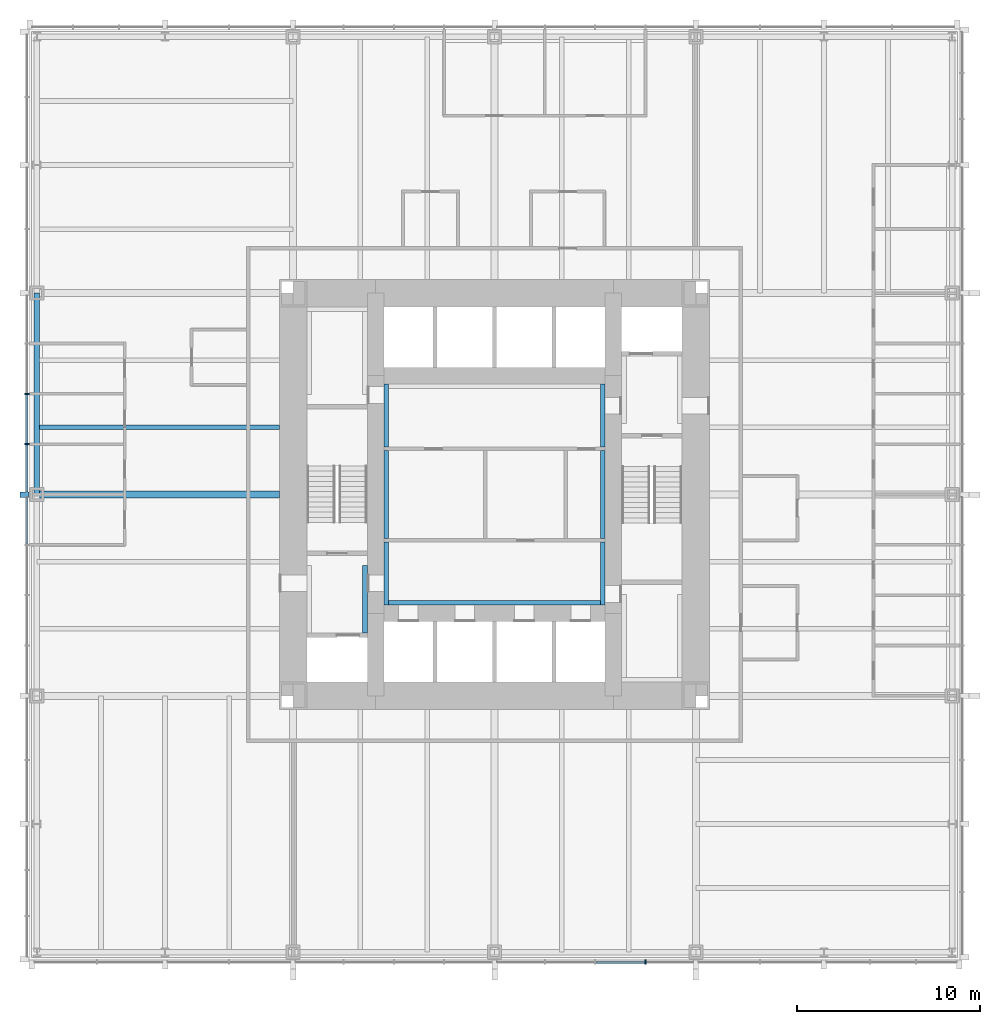
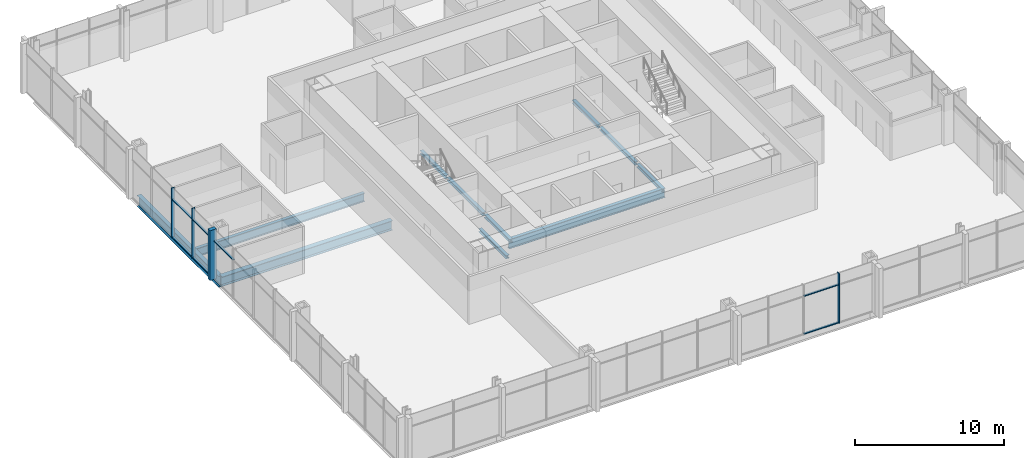
# One storey, part 3 of 12: 11 beams, 11 members, 2 elements without a shape of their own.
"""IFC4 building model written with IfcOpenShell, lengths in metres."""

from ifc_helpers import new_model, si_unit, direction, frame, origin, origin_2d, place, context, subcontext, project, spatial, rectangle, i_section, extrude, material, material_profile, profile_set, type_object, element, aggregate, save


model = new_model("IFC4")

# Units and contexts
model_context = context("Model", 3, precision=1e-05, world=origin(), true_north=direction((0.0, 1.0)))
body_context = subcontext(model_context, "Body", "Model", "MODEL_VIEW")
ifc_project = project(units=[si_unit("LENGTHUNIT", "METRE"), si_unit("AREAUNIT", "SQUARE_METRE"), si_unit("VOLUMEUNIT", "CUBIC_METRE"), si_unit("PLANEANGLEUNIT", "RADIAN"), si_unit("MASSUNIT", "GRAM", prefix="KILO")], contexts=[model_context])

# Site, building, storey
site_placement = place(None, origin())
site = spatial("IfcSite", under=ifc_project, at=site_placement, CompositionType="ELEMENT")
building_placement = place(site_placement, origin())
building = spatial("IfcBuilding", under=site, at=building_placement, Name="Trevanion Tower", CompositionType="ELEMENT")
storey_placement = place(building_placement, frame((0.0, 0.0, 48.800048828125)))
storey = spatial("IfcBuildingStorey", under=building, at=storey_placement, Name="L11", CompositionType="ELEMENT", Elevation=48.800048828125)

# Beam
ifc_material_1 = material(Name="Steel ASTM A992 Grade 50", Category="steel")
ifc_material_profile_1 = material_profile(ifc_material_1, i_section(OverallWidth=0.25390625, OverallDepth=0.700927734375, WebThickness=0.015380859375, FlangeThickness=0.02783203125, at=origin_2d()), Name="W27X129")
ifc_profile_set_1 = profile_set([ifc_material_profile_1], Name="Steel ASTM A992 Grade 50")
beam_type_1 = type_object("IfcBeamType", Name="B3 W27X129", PredefinedType="BEAM", material=ifc_profile_set_1)
beam_1_placement = place(storey_placement, frame((-11.75, 3.666748046875, -0.54052734375), z_axis=(-1.0, 0.0, 0.0), x_axis=(0.0, -1.0, 0.0)))
element("IfcBeam", 1, at=beam_1_placement, inside=storey, type_object=beam_type_1, Name="B3 L11", PredefinedType="BEAM", context=body_context, shape_type="SweptSolid", body=[
    extrude(i_section(OverallWidth=0.25390625, OverallDepth=0.700927734375, WebThickness=0.015380859375, FlangeThickness=0.02783203125, at=origin_2d()), origin(), (0.0, 0.0, 1.0), 13.25),
])

# Curtain wall, members
ifc_material_2 = material(Name="Aluminium and glass", Category="aluminium")
curtain_wall_type = type_object("IfcCurtainWallType", Name="CW1 curtain wall", PredefinedType="USERDEFINED", material=ifc_material_2)
curtain_wall_1_placement = place(storey_placement, origin())
curtain_wall_1 = element("IfcCurtainWall", 2, at=curtain_wall_1_placement, inside=storey, type_object=curtain_wall_type, Name="CW1 L11 2", ObjectType="UNITISED CURTAIN WALL", PredefinedType="USERDEFINED")
ifc_material_3 = material(Name="Aluminium extrusion, anodised bronze", Category="aluminium")
ifc_material_profile_2 = material_profile(ifc_material_3, rectangle(XDim=0.074951171875, YDim=0.25, at=origin_2d()), Name="CW1 mullion")
ifc_profile_set_2 = profile_set([ifc_material_profile_2], Name="Aluminium extrusion, anodised bronze")
member_type_1 = type_object("IfcMemberType", Name="CW1 mullion", PredefinedType="MULLION", material=ifc_profile_set_2)
member_1_placement = place(storey_placement, frame((-25.550048828125, 5.5, -0.18994140625), z_axis=(0.0, 0.0, 1.0), x_axis=(0.0, -1.0, 0.0)))
member_1 = element("IfcMember", 3, at=member_1_placement, type_object=member_type_1, Name="CW1 mullion 7", PredefinedType="MULLION", context=body_context, shape_type="SweptSolid", body=[
    extrude(rectangle(XDim=0.074951171875, YDim=0.25, at=origin_2d()), origin(), (0.0, 0.0, 1.0), 4.099853515625),
])
member_2_placement = place(storey_placement, frame((-25.550048828125, 2.75, -0.18994140625), z_axis=(0.0, 0.0, 1.0), x_axis=(0.0, -1.0, 0.0)))
member_2 = element("IfcMember", 4, at=member_2_placement, type_object=member_type_1, Name="CW1 mullion 8", PredefinedType="MULLION", context=body_context, shape_type="SweptSolid", body=[
    extrude(rectangle(XDim=0.074951171875, YDim=0.25, at=origin_2d()), origin(), (0.0, 0.0, 1.0), 4.099853515625),
])

# Curtain wall, member
curtain_wall_2_placement = place(storey_placement, origin())
curtain_wall_2 = element("IfcCurtainWall", 5, at=curtain_wall_2_placement, inside=storey, type_object=curtain_wall_type, Name="CW1 L11 3", ObjectType="UNITISED CURTAIN WALL", PredefinedType="USERDEFINED")
member_3_placement = place(storey_placement, frame((8.25, -25.550048828125, -0.18994140625), z_axis=(0.0, 0.0, 1.0), x_axis=(1.0, 0.0, 0.0)))
member_3 = element("IfcMember", 6, at=member_3_placement, type_object=member_type_1, Name="CW1 mullion 12", PredefinedType="MULLION", context=body_context, shape_type="SweptSolid", body=[
    extrude(rectangle(XDim=0.074951171875, YDim=0.25, at=origin_2d()), origin(), (0.0, 0.0, 1.0), 4.099853515625),
])

# Member
ifc_material_4 = material(Name="Aluminium extrusion, anodised bronze", Category="aluminium")
ifc_material_profile_3 = material_profile(ifc_material_4, rectangle(XDim=0.300048828125, YDim=0.5, at=origin_2d()), Name="CW1 pier mullion")
ifc_profile_set_3 = profile_set([ifc_material_profile_3], Name="Aluminium extrusion, anodised bronze")
member_type_2 = type_object("IfcMemberType", Name="CW1 pier mullion", PredefinedType="MULLION", material=ifc_profile_set_3)
member_4_placement = place(storey_placement, frame((-25.675048828125, 0.0, -0.18994140625), z_axis=(0.0, 0.0, 1.0), x_axis=(0.0, -1.0, 0.0)))
member_4 = element("IfcMember", 7, at=member_4_placement, type_object=member_type_2, Name="CW1 pier mullion 9", PredefinedType="MULLION", context=body_context, shape_type="SweptSolid", body=[
    extrude(rectangle(XDim=0.300048828125, YDim=0.5, at=origin_2d()), origin(), (0.0, 0.0, 1.0), 4.099853515625),
])

ifc_material_5 = material(Name="Aluminium extrusion, anodised bronze", Category="aluminium")
ifc_material_profile_4 = material_profile(ifc_material_5, rectangle(XDim=0.14990234375, YDim=0.074951171875, at=origin_2d()), Name="CW1 transom")
ifc_profile_set_4 = profile_set([ifc_material_profile_4], Name="Aluminium extrusion, anodised bronze")
member_type_3 = type_object("IfcMemberType", Name="CW1 transom", PredefinedType="USERDEFINED", material=ifc_profile_set_4)
member_5_placement = place(storey_placement, frame((-25.550048828125, 5.46240234375, -0.152587890625), z_axis=(0.0, -1.0, 0.0), x_axis=(1.0, 0.0, 0.0)))
member_5 = element("IfcMember", 8, at=member_5_placement, type_object=member_type_3, Name="CW1 transom 7.1", ObjectType="TRANSOM", PredefinedType="USERDEFINED", context=body_context, shape_type="SweptSolid", body=[
    extrude(rectangle(XDim=0.14990234375, YDim=0.074951171875, at=origin_2d()), origin(), (0.0, 0.0, 1.0), 2.6748046875),
])

member_6_placement = place(storey_placement, frame((-25.550048828125, 5.46240234375, 2.9599609375), z_axis=(0.0, -1.0, 0.0), x_axis=(1.0, 0.0, 0.0)))
member_6 = element("IfcMember", 9, at=member_6_placement, type_object=member_type_3, Name="CW1 transom 7.2", ObjectType="TRANSOM", PredefinedType="USERDEFINED", context=body_context, shape_type="SweptSolid", body=[
    extrude(rectangle(XDim=0.14990234375, YDim=0.074951171875, at=origin_2d()), origin(), (0.0, 0.0, 1.0), 2.6748046875),
])

member_7_placement = place(storey_placement, frame((-25.550048828125, 2.71240234375, -0.152587890625), z_axis=(0.0, -1.0, 0.0), x_axis=(1.0, 0.0, 0.0)))
member_7 = element("IfcMember", 10, at=member_7_placement, type_object=member_type_3, Name="CW1 transom 8.1", ObjectType="TRANSOM", PredefinedType="USERDEFINED", context=body_context, shape_type="SweptSolid", body=[
    extrude(rectangle(XDim=0.14990234375, YDim=0.074951171875, at=origin_2d()), origin(), (0.0, 0.0, 1.0), 2.5625),
])

member_8_placement = place(storey_placement, frame((-25.550048828125, 2.71240234375, 2.9599609375), z_axis=(0.0, -1.0, 0.0), x_axis=(1.0, 0.0, 0.0)))
member_8 = element("IfcMember", 11, at=member_8_placement, type_object=member_type_3, Name="CW1 transom 8.2", ObjectType="TRANSOM", PredefinedType="USERDEFINED", context=body_context, shape_type="SweptSolid", body=[
    extrude(rectangle(XDim=0.14990234375, YDim=0.074951171875, at=origin_2d()), origin(), (0.0, 0.0, 1.0), 2.5625),
])

member_9_placement = place(storey_placement, frame((-25.550048828125, -0.14990234375, 2.9599609375), z_axis=(0.0, -1.0, 0.0), x_axis=(1.0, 0.0, 0.0)))
member_9 = element("IfcMember", 12, at=member_9_placement, type_object=member_type_3, Name="CW1 transom 9.2", ObjectType="TRANSOM", PredefinedType="USERDEFINED", context=body_context, shape_type="SweptSolid", body=[
    extrude(rectangle(XDim=0.14990234375, YDim=0.074951171875, at=origin_2d()), origin(), (0.0, 0.0, 1.0), 2.5625),
])

aggregate(curtain_wall_1, [member_1, member_2, member_4, member_5, member_6, member_7, member_8, member_9])

member_10_placement = place(storey_placement, frame((5.53759765625, -25.550048828125, -0.152587890625), z_axis=(1.0, 0.0, 0.0), x_axis=(0.0, 1.0, 0.0)))
member_10 = element("IfcMember", 13, at=member_10_placement, type_object=member_type_3, Name="CW1 transom 11.1", ObjectType="TRANSOM", PredefinedType="USERDEFINED", context=body_context, shape_type="SweptSolid", body=[
    extrude(rectangle(XDim=0.14990234375, YDim=0.074951171875, at=origin_2d()), origin(), (0.0, 0.0, 1.0), 2.6748046875),
])

member_11_placement = place(storey_placement, frame((5.53759765625, -25.550048828125, 2.9599609375), z_axis=(1.0, 0.0, 0.0), x_axis=(0.0, 1.0, 0.0)))
member_11 = element("IfcMember", 14, at=member_11_placement, type_object=member_type_3, Name="CW1 transom 11.2", ObjectType="TRANSOM", PredefinedType="USERDEFINED", context=body_context, shape_type="SweptSolid", body=[
    extrude(rectangle(XDim=0.14990234375, YDim=0.074951171875, at=origin_2d()), origin(), (0.0, 0.0, 1.0), 2.6748046875),
])

aggregate(curtain_wall_2, [member_3, member_10, member_11])

# Beams
ifc_material_6 = material(Name="Steel ASTM A992 Grade 50", Category="steel")
ifc_material_profile_5 = material_profile(ifc_material_6, i_section(OverallWidth=0.381103515625, OverallDepth=0.77978515625, WebThickness=0.01806640625, FlangeThickness=0.0302734375, at=origin_2d()), Name="W30X191")
ifc_profile_set_5 = profile_set([ifc_material_profile_5], Name="Steel ASTM A992 Grade 50")
beam_type_2 = type_object("IfcBeamType", Name="G2 W30X191", PredefinedType="BEAM", material=ifc_profile_set_5)
beam_2_placement = place(storey_placement, frame((-11.75, 0.0, -0.579833984375), z_axis=(-1.0, 0.0, 0.0), x_axis=(0.0, -1.0, 0.0)))
element("IfcBeam", 15, at=beam_2_placement, inside=storey, type_object=beam_type_2, Name="G2 L11", PredefinedType="BEAM", context=body_context, shape_type="SweptSolid", body=[
    extrude(i_section(OverallWidth=0.381103515625, OverallDepth=0.77978515625, WebThickness=0.01806640625, FlangeThickness=0.0302734375, at=origin_2d()), origin(), (0.0, 0.0, 1.0), 13.25),
])
ifc_material_7 = material(Name="Steel ASTM A992 Grade 50", Category="steel")
ifc_material_profile_6 = material_profile(ifc_material_7, i_section(OverallWidth=0.256591796875, OverallDepth=0.26416015625, WebThickness=0.011962890625, FlangeThickness=0.01953125, at=origin_2d()), Name="W10X68")
ifc_profile_set_6 = profile_set([ifc_material_profile_6], Name="Steel ASTM A992 Grade 50")
beam_type_3 = type_object("IfcBeamType", Name="LB1 W10X68", PredefinedType="BEAM", material=ifc_profile_set_6)
for number, where, z_axis, x_axis, name in (
    (16, (-5.921630859375, 2.60009765625, -0.33203125), (0.0, 1.0, 0.0), (-1.0, 0.0, 0.0), "LB1 L11"),
    (17, (5.921630859375, 2.60009765625, -0.33203125), (0.0, 1.0, 0.0), (-1.0, 0.0, 0.0), "LB1 L11"),
    (18, (-5.921630859375, -6.050048828125, -0.33203125), (0.0, 1.0, 0.0), (-1.0, 0.0, 0.0), "LB1 L11"),
    (19, (5.921630859375, -6.050048828125, -0.33203125), (0.0, 1.0, 0.0), (-1.0, 0.0, 0.0), "LB1 L11"),
):
    element("IfcBeam", number, at=place(storey_placement, frame(where, z_axis=z_axis, x_axis=x_axis)), inside=storey, type_object=beam_type_3, Name=name, PredefinedType="BEAM", context=body_context, shape_type="SweptSolid", body=[
        extrude(i_section(OverallWidth=0.256591796875, OverallDepth=0.26416015625, WebThickness=0.011962890625, FlangeThickness=0.01953125, at=origin_2d()), origin(), (0.0, 0.0, 1.0), 3.449951171875),
    ])
beam_3_placement = place(storey_placement, frame((-7.078369140625, -7.574951171875, -0.33203125), z_axis=(0.0, 1.0, 0.0), x_axis=(-1.0, 0.0, 0.0)))
element("IfcBeam", 20, at=beam_3_placement, inside=storey, type_object=beam_type_3, Name="LB1 L11", PredefinedType="BEAM", context=body_context, shape_type="SweptSolid", body=[
    extrude(i_section(OverallWidth=0.256591796875, OverallDepth=0.26416015625, WebThickness=0.011962890625, FlangeThickness=0.01953125, at=origin_2d()), origin(), (0.0, 0.0, 1.0), 3.699951171875),
])
for number, where, z_axis, x_axis, name in (
    (21, (-5.921630859375, -2.39990234375, -0.33203125), (0.0, 1.0, 0.0), (-1.0, 0.0, 0.0), "LB1 L11"),
    (22, (5.921630859375, -2.39990234375, -0.33203125), (0.0, 1.0, 0.0), (-1.0, 0.0, 0.0), "LB1 L11"),
):
    element("IfcBeam", number, at=place(storey_placement, frame(where, z_axis=z_axis, x_axis=x_axis)), inside=storey, type_object=beam_type_3, Name=name, PredefinedType="BEAM", context=body_context, shape_type="SweptSolid", body=[
        extrude(i_section(OverallWidth=0.256591796875, OverallDepth=0.26416015625, WebThickness=0.011962890625, FlangeThickness=0.01953125, at=origin_2d()), origin(), (0.0, 0.0, 1.0), 4.7998046875),
    ])
ifc_material_8 = material(Name="Steel ASTM A992 Grade 50", Category="steel")
ifc_material_profile_7 = material_profile(ifc_material_8, i_section(OverallWidth=0.2666015625, OverallDepth=0.76953125, WebThickness=0.015625, FlangeThickness=0.025390625, at=origin_2d()), Name="W30X132")
ifc_profile_set_7 = profile_set([ifc_material_profile_7], Name="Steel ASTM A992 Grade 50")
beam_type_4 = type_object("IfcBeamType", Name="LB3 W30X132", PredefinedType="BEAM", material=ifc_profile_set_7)
beam_4_placement = place(storey_placement, frame((-6.050048828125, -5.91650390625, -0.5849609375), z_axis=(1.0, 0.0, 0.0), x_axis=(0.0, 1.0, 0.0)))
element("IfcBeam", 23, at=beam_4_placement, inside=storey, type_object=beam_type_4, Name="LB3 L11", PredefinedType="BEAM", context=body_context, shape_type="SweptSolid", body=[
    extrude(i_section(OverallWidth=0.2666015625, OverallDepth=0.76953125, WebThickness=0.015625, FlangeThickness=0.025390625, at=origin_2d()), origin(), (0.0, 0.0, 1.0), 12.10009765625),
])
ifc_material_9 = material(Name="Steel ASTM A992 Grade 50", Category="steel")
ifc_material_profile_8 = material_profile(ifc_material_9, i_section(OverallWidth=0.307373046875, OverallDepth=0.927001953125, WebThickness=0.01953125, FlangeThickness=0.031982421875, at=origin_2d()), Name="W36X194")
ifc_profile_set_8 = profile_set([ifc_material_profile_8], Name="Steel ASTM A992 Grade 50")
beam_type_5 = type_object("IfcBeamType", Name="SB2 W36X194", PredefinedType="SPANDREL", material=ifc_profile_set_8)
beam_5_placement = place(storey_placement, frame((-25.0, 11.0, -0.653564453125), z_axis=(0.0, -1.0, 0.0), x_axis=(1.0, 0.0, 0.0)))
element("IfcBeam", 24, at=beam_5_placement, inside=storey, type_object=beam_type_5, Name="SB2 L11", PredefinedType="SPANDREL", context=body_context, shape_type="SweptSolid", body=[
    extrude(i_section(OverallWidth=0.307373046875, OverallDepth=0.927001953125, WebThickness=0.01953125, FlangeThickness=0.031982421875, at=origin_2d()), origin(), (0.0, 0.0, 1.0), 11.0),
])

save(model, "model.ifc")
